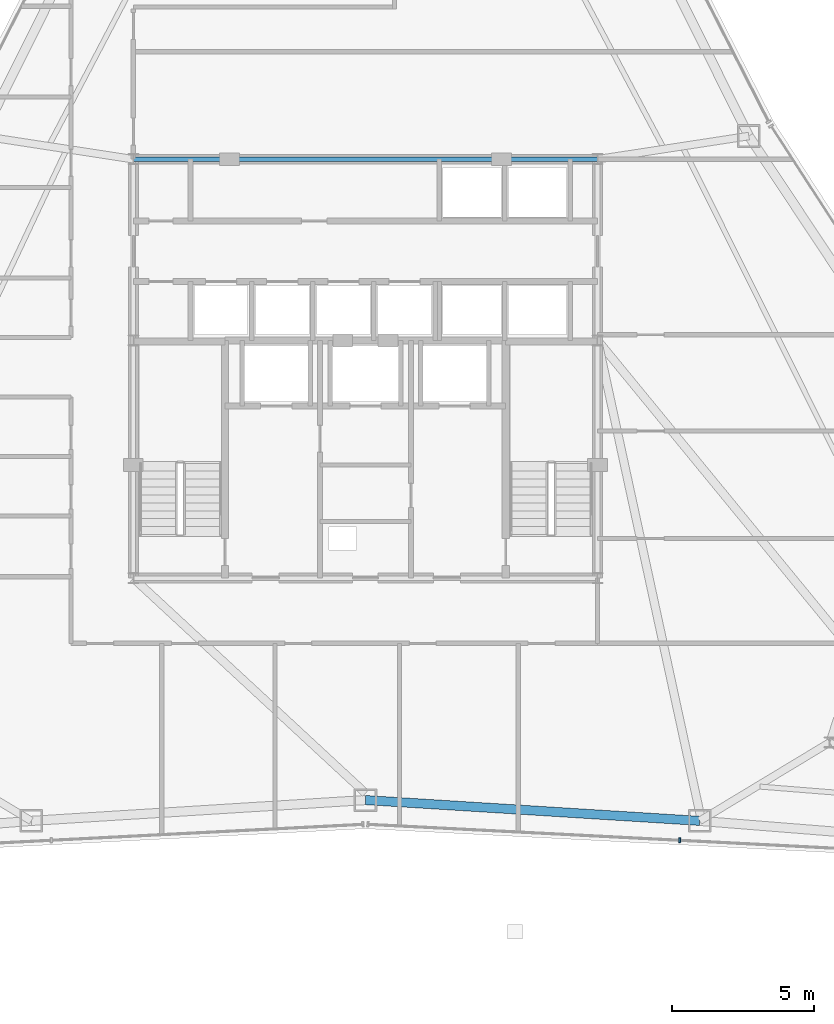
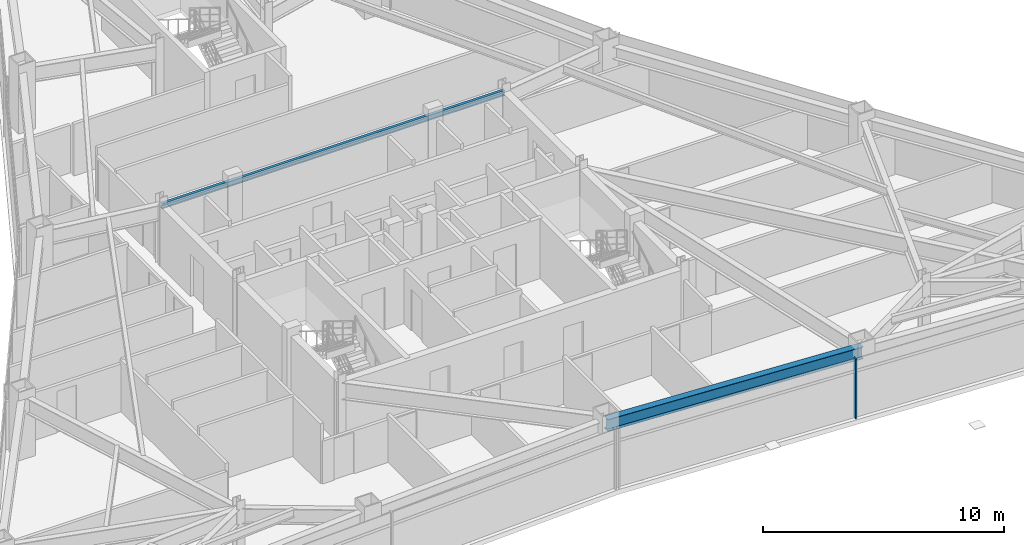
# One storey, part 5 of 12: 2 beams, 1 member, 1 element without a shape of its own.
"""IFC4 building model written with IfcOpenShell, lengths in metres."""

from ifc_helpers import new_model, si_unit, direction, frame, origin, origin_2d, place, context, subcontext, project, spatial, rectangle, i_section, extrude, source, transform, mapped, material, layer, layer_set, material_profile, profile_set, type_object, type_shapes, element, aggregate, save


model = new_model("IFC4")

# Units and contexts
model_context = context("Model", 3, precision=1e-05, world=origin(), true_north=direction((0.0, 1.0)))
body_context = subcontext(model_context, "Body", "Model", "MODEL_VIEW")
ifc_project = project(units=[si_unit("LENGTHUNIT", "METRE"), si_unit("AREAUNIT", "SQUARE_METRE"), si_unit("VOLUMEUNIT", "CUBIC_METRE"), si_unit("PLANEANGLEUNIT", "RADIAN"), si_unit("MASSUNIT", "GRAM", prefix="KILO")], contexts=[model_context])

# Site, building, storey
site_placement = place(None, origin())
site = spatial("IfcSite", under=ifc_project, at=site_placement, CompositionType="ELEMENT")
building_placement = place(site_placement, origin())
building = spatial("IfcBuilding", under=site, at=building_placement, Name="Varakhsha Concourse Tower", CompositionType="ELEMENT")
storey_placement = place(building_placement, frame((0.0, 0.0, 193.050048828125)))
storey = spatial("IfcBuildingStorey", under=building, at=storey_placement, Name="L55", CompositionType="ELEMENT", Elevation=193.050048828125)

# Beams
ifc_material_1 = material(Name="Structural Steel ASTM A992 Grade 50", Category="steel")
ifc_material_profile_1 = material_profile(ifc_material_1, i_section(OverallWidth=0.14697265625, OverallDepth=0.261962890625, WebThickness=0.007080078125, FlangeThickness=0.010986328125, at=origin_2d()), Name="W10X26")
ifc_profile_set_1 = profile_set([ifc_material_profile_1], Name="Structural Steel ASTM A992 Grade 50")
beam_type_1 = type_object("IfcBeamType", Name="BM-LNTL-W10X26", PredefinedType="LINTEL", material=ifc_profile_set_1)
beam_1_placement = place(storey_placement, frame((31.800048828125, 31.199951171875, 2.89892578125), z_axis=(1.0, 0.0, 0.0), x_axis=(0.0, 1.0, 0.0)))
element("IfcBeam", 1, at=beam_1_placement, inside=storey, type_object=beam_type_1, Name="BM-TCORE-L55-CN", PredefinedType="LINTEL", context=body_context, shape_type="SweptSolid", body=[
    extrude(i_section(OverallWidth=0.14697265625, OverallDepth=0.261962890625, WebThickness=0.007080078125, FlangeThickness=0.010986328125, at=origin_2d()), origin(), (0.0, 0.0, 1.0), 16.39990234375),
])
ifc_material_profile_2 = material_profile(ifc_material_1, i_section(OverallWidth=0.323974609375, OverallDepth=0.611083984375, WebThickness=0.012939453125, FlangeThickness=0.01904296875, at=origin_2d()), Name="W24X104")
ifc_profile_set_2 = profile_set([ifc_material_profile_2], Name="Structural Steel ASTM A992 Grade 50")
beam_type_2 = type_object("IfcBeamType", Name="BM-SPAN-W24X104", PredefinedType="SPANDREL", material=ifc_profile_set_2)
beam_2_placement = place(storey_placement, frame((40.0, 8.56201171875, 2.724365234375), z_axis=(0.998068526694, -0.062122588667, 0.0), x_axis=(0.062122588667, 0.998068526694, 0.0)))
element("IfcBeam", 2, at=beam_2_placement, inside=storey, type_object=beam_type_2, Name="BM-SPAN-L55-11", PredefinedType="SPANDREL", context=body_context, shape_type="SweptSolid", body=[
    extrude(i_section(OverallWidth=0.323974609375, OverallDepth=0.611083984375, WebThickness=0.012939453125, FlangeThickness=0.01904296875, at=origin_2d()), origin(), (0.0, 0.0, 1.0), 11.829345703125),
])

# Curtain wall, member
ifc_material_2 = material(Name="Anodised Bronze Architectural Aluminium AA 6063-T6", Category="aluminium")
ifc_layer = layer(ifc_material_2, 0.2099609375, Name="CW-SYS-04")
ifc_layer_set = layer_set([ifc_layer], Name="Anodised Bronze Architectural Aluminium AA 6063-T6")
curtain_wall_type = type_object("IfcCurtainWallType", Name="CW-SYS-04", PredefinedType="NOTDEFINED", material=ifc_layer_set)
curtain_wall_placement = place(storey_placement, origin())
curtain_wall = element("IfcCurtainWall", 3, at=curtain_wall_placement, inside=storey, type_object=curtain_wall_type, Name="L55 Crystal Curtain Wall F6", PredefinedType="NOTDEFINED")
ifc_material_profile_3 = material_profile(ifc_material_2, rectangle(XDim=0.06494140625, YDim=0.179931640625, at=origin_2d()), Name="CWM-180X65")
ifc_profile_set_3 = profile_set([ifc_material_profile_3], Name="Anodised Bronze Architectural Aluminium AA 6063-T6")
member_type = type_object("IfcMemberType", Name="CWM-180X65", PredefinedType="MULLION", material=ifc_profile_set_3)
shared_shape = source(origin(), body_context, "Body", "SweptSolid", [
    extrude(rectangle(XDim=0.06494140625, YDim=0.179931640625, at=origin_2d()), origin(), (0.0, 0.0, 1.0), 3.030029296875),
])
type_shapes(member_type, [shared_shape])
member_placement = place(storey_placement, frame((51.1005859375, 7.142333984375, 0.0), z_axis=(0.0, 0.0, 1.0), x_axis=(-0.998693889407, 0.051093201718, 0.0)))
member = element("IfcMember", 4, at=member_placement, type_object=member_type, Name="CW-L55-F6 Mullion 01", PredefinedType="MULLION", context=body_context, shape_type="MappedRepresentation", body=[
    mapped(shared_shape, transform((0.0, 0.0, 0.0), scale=1.0)),
])
aggregate(curtain_wall, [member])

save(model, "model.ifc")
